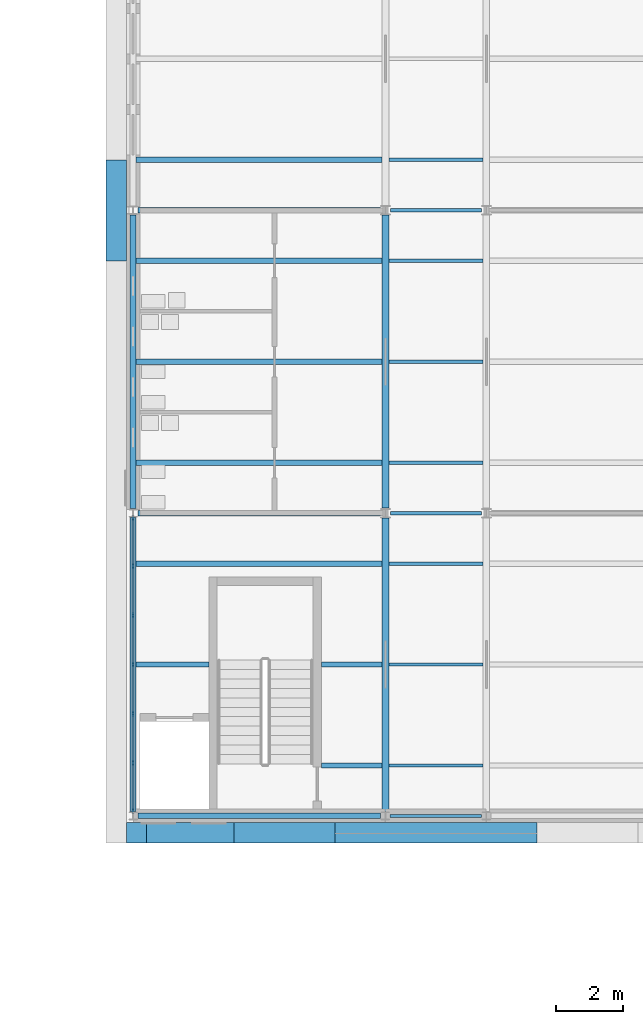
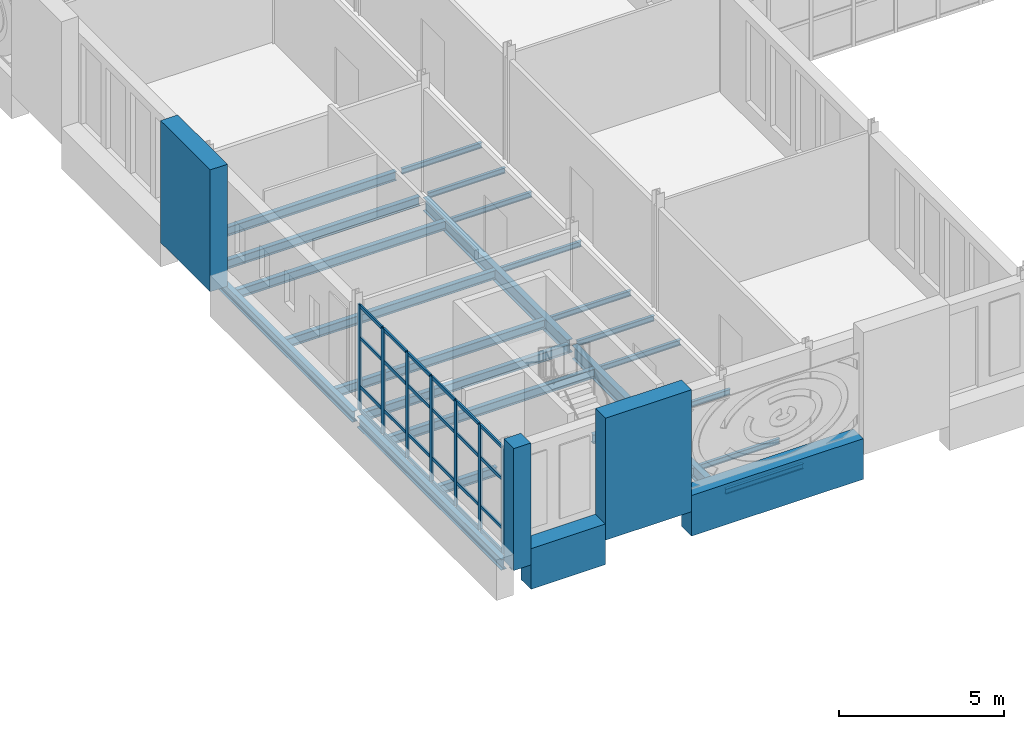
# One storey, part 26 of 131: 34 members, 27 beams, 1 element without a shape of its own.
"""IFC4 building model written with IfcOpenShell, lengths in metres."""

from ifc_helpers import new_model, si_unit, direction, frame, origin, origin_2d, place, context, subcontext, project, spatial, rectangle, i_section, extrude, material, layer, layer_set, material_profile, profile_set, type_object, element, aggregate, save


model = new_model("IFC4")

# Units and contexts
model_context = context("Model", 3, precision=1e-05, world=origin(), true_north=direction((0.0, 1.0)))
body_context = subcontext(model_context, "Body", "Model", "MODEL_VIEW")
ifc_project = project(units=[si_unit("LENGTHUNIT", "METRE"), si_unit("AREAUNIT", "SQUARE_METRE"), si_unit("VOLUMEUNIT", "CUBIC_METRE"), si_unit("PLANEANGLEUNIT", "RADIAN"), si_unit("MASSUNIT", "GRAM", prefix="KILO")], contexts=[model_context])

# Site, building, storey
site_placement = place(None, origin())
site = spatial("IfcSite", under=ifc_project, at=site_placement, CompositionType="ELEMENT")
building_placement = place(site_placement, origin())
building = spatial("IfcBuilding", under=site, at=building_placement, Name="Golden Quay Civic Hall", CompositionType="ELEMENT")
storey_placement = place(building_placement, frame((0.0, 0.0, 9.89990234375)))
storey = spatial("IfcBuildingStorey", under=building, at=storey_placement, Name="L02", CompositionType="ELEMENT", Elevation=9.89990234375)

# Curtain wall, members
ifc_material_1 = material(Name="Glass, laminated double glazed", Category="glass")
ifc_layer = layer(ifc_material_1, 0.199951171875)
ifc_layer_set = layer_set([ifc_layer], Name="Glazed core strip curtain wall")
curtain_wall_type = type_object("IfcCurtainWallType", Name="Glazed core strip curtain wall", PredefinedType="NOTDEFINED", material=ifc_layer_set)
curtain_wall_placement = place(storey_placement, origin())
curtain_wall = element("IfcCurtainWall", 1, at=curtain_wall_placement, inside=storey, type_object=curtain_wall_type, Name="Glazed core strip curtain wall L02 3", PredefinedType="NOTDEFINED")
ifc_material_2 = material(Name="Aluminium, anodised", Category="aluminium")
ifc_material_profile_1 = material_profile(ifc_material_2, rectangle(XDim=0.06005859375, YDim=0.159912109375, at=origin_2d()), Name="Aluminium 60 x 160")
ifc_profile_set_1 = profile_set([ifc_material_profile_1], Name="Aluminium, anodised")
member_type_1 = type_object("IfcMemberType", Name="Aluminium mullion 60 x 160", PredefinedType="MULLION", material=ifc_profile_set_1)
member_1_placement = place(storey_placement, frame((54.0, 0.14501953125, 0.0), z_axis=(0.0, 0.0, 1.0), x_axis=(-1.0, 0.0, 0.0)))
member_1 = element("IfcMember", 2, at=member_1_placement, type_object=member_type_1, Name="CW2 mullion 1", PredefinedType="MULLION", context=body_context, shape_type="SweptSolid", body=[
    extrude(rectangle(XDim=0.06005859375, YDim=0.159912109375, at=origin_2d()), origin(), (0.0, 0.0, 1.0), 3.900146484375),
])
member_2_placement = place(storey_placement, frame((54.0, 1.57666015625, 0.0), z_axis=(0.0, 0.0, 1.0), x_axis=(-1.0, 0.0, 0.0)))
member_2 = element("IfcMember", 3, at=member_2_placement, type_object=member_type_1, Name="CW2 mullion 2", PredefinedType="MULLION", context=body_context, shape_type="SweptSolid", body=[
    extrude(rectangle(XDim=0.06005859375, YDim=0.159912109375, at=origin_2d()), origin(), (0.0, 0.0, 1.0), 3.900146484375),
])
member_3_placement = place(storey_placement, frame((54.0, 3.038330078125, 0.0), z_axis=(0.0, 0.0, 1.0), x_axis=(-1.0, 0.0, 0.0)))
member_3 = element("IfcMember", 4, at=member_3_placement, type_object=member_type_1, Name="CW2 mullion 3", PredefinedType="MULLION", context=body_context, shape_type="SweptSolid", body=[
    extrude(rectangle(XDim=0.06005859375, YDim=0.159912109375, at=origin_2d()), origin(), (0.0, 0.0, 1.0), 3.900146484375),
])
member_4_placement = place(storey_placement, frame((54.0, 4.5, 0.0), z_axis=(0.0, 0.0, 1.0), x_axis=(-1.0, 0.0, 0.0)))
member_4 = element("IfcMember", 5, at=member_4_placement, type_object=member_type_1, Name="CW2 mullion 4", PredefinedType="MULLION", context=body_context, shape_type="SweptSolid", body=[
    extrude(rectangle(XDim=0.06005859375, YDim=0.159912109375, at=origin_2d()), origin(), (0.0, 0.0, 1.0), 3.900146484375),
])
member_5_placement = place(storey_placement, frame((54.0, 5.961669921875, 0.0), z_axis=(0.0, 0.0, 1.0), x_axis=(-1.0, 0.0, 0.0)))
member_5 = element("IfcMember", 6, at=member_5_placement, type_object=member_type_1, Name="CW2 mullion 5", PredefinedType="MULLION", context=body_context, shape_type="SweptSolid", body=[
    extrude(rectangle(XDim=0.06005859375, YDim=0.159912109375, at=origin_2d()), origin(), (0.0, 0.0, 1.0), 3.900146484375),
])
member_6_placement = place(storey_placement, frame((54.0, 7.42333984375, 0.0), z_axis=(0.0, 0.0, 1.0), x_axis=(-1.0, 0.0, 0.0)))
member_6 = element("IfcMember", 7, at=member_6_placement, type_object=member_type_1, Name="CW2 mullion 6", PredefinedType="MULLION", context=body_context, shape_type="SweptSolid", body=[
    extrude(rectangle(XDim=0.06005859375, YDim=0.159912109375, at=origin_2d()), origin(), (0.0, 0.0, 1.0), 3.900146484375),
])
member_7_placement = place(storey_placement, frame((54.0, 8.85498046875, 0.0), z_axis=(0.0, 0.0, 1.0), x_axis=(-1.0, 0.0, 0.0)))
member_7 = element("IfcMember", 8, at=member_7_placement, type_object=member_type_1, Name="CW2 mullion 7", PredefinedType="MULLION", context=body_context, shape_type="SweptSolid", body=[
    extrude(rectangle(XDim=0.06005859375, YDim=0.159912109375, at=origin_2d()), origin(), (0.0, 0.0, 1.0), 3.900146484375),
])
ifc_material_3 = material(Name="Aluminium, anodised", Category="aluminium")
ifc_material_profile_2 = material_profile(ifc_material_3, rectangle(XDim=0.06005859375, YDim=0.1201171875, at=origin_2d()), Name="Aluminium 60 x 120")
ifc_profile_set_2 = profile_set([ifc_material_profile_2], Name="Aluminium, anodised")
member_type_2 = type_object("IfcMemberType", Name="Aluminium transom 60 x 120", PredefinedType="USERDEFINED", material=ifc_profile_set_2)
member_8_placement = place(storey_placement, frame((54.0, 0.175048828125, 0.030029296875), z_axis=(0.0, 1.0, 0.0), x_axis=(-1.0, 0.0, 0.0)))
member_8 = element("IfcMember", 9, at=member_8_placement, type_object=member_type_2, Name="CW2 transom 1.1", ObjectType="TRANSOM", PredefinedType="USERDEFINED", context=body_context, shape_type="SweptSolid", body=[
    extrude(rectangle(XDim=0.06005859375, YDim=0.1201171875, at=origin_2d()), origin(), (0.0, 0.0, 1.0), 1.37158203125),
])
member_9_placement = place(storey_placement, frame((54.0, 0.175048828125, 0.900146484375), z_axis=(0.0, 1.0, 0.0), x_axis=(-1.0, 0.0, 0.0)))
member_9 = element("IfcMember", 10, at=member_9_placement, type_object=member_type_2, Name="CW2 transom 1.2", ObjectType="TRANSOM", PredefinedType="USERDEFINED", context=body_context, shape_type="SweptSolid", body=[
    extrude(rectangle(XDim=0.06005859375, YDim=0.1201171875, at=origin_2d()), origin(), (0.0, 0.0, 1.0), 1.37158203125),
])
member_10_placement = place(storey_placement, frame((54.0, 0.175048828125, 2.7001953125), z_axis=(0.0, 1.0, 0.0), x_axis=(-1.0, 0.0, 0.0)))
member_10 = element("IfcMember", 11, at=member_10_placement, type_object=member_type_2, Name="CW2 transom 1.3", ObjectType="TRANSOM", PredefinedType="USERDEFINED", context=body_context, shape_type="SweptSolid", body=[
    extrude(rectangle(XDim=0.06005859375, YDim=0.1201171875, at=origin_2d()), origin(), (0.0, 0.0, 1.0), 1.37158203125),
])
member_11_placement = place(storey_placement, frame((54.0, 0.175048828125, 3.8701171875), z_axis=(0.0, 1.0, 0.0), x_axis=(-1.0, 0.0, 0.0)))
member_11 = element("IfcMember", 12, at=member_11_placement, type_object=member_type_2, Name="CW2 transom 1.4", ObjectType="TRANSOM", PredefinedType="USERDEFINED", context=body_context, shape_type="SweptSolid", body=[
    extrude(rectangle(XDim=0.06005859375, YDim=0.1201171875, at=origin_2d()), origin(), (0.0, 0.0, 1.0), 1.37158203125),
])
member_12_placement = place(storey_placement, frame((54.0, 1.606689453125, 0.030029296875), z_axis=(0.0, 1.0, 0.0), x_axis=(-1.0, 0.0, 0.0)))
member_12 = element("IfcMember", 13, at=member_12_placement, type_object=member_type_2, Name="CW2 transom 2.1", ObjectType="TRANSOM", PredefinedType="USERDEFINED", context=body_context, shape_type="SweptSolid", body=[
    extrude(rectangle(XDim=0.06005859375, YDim=0.1201171875, at=origin_2d()), origin(), (0.0, 0.0, 1.0), 1.401611328125),
])
member_13_placement = place(storey_placement, frame((54.0, 1.606689453125, 0.900146484375), z_axis=(0.0, 1.0, 0.0), x_axis=(-1.0, 0.0, 0.0)))
member_13 = element("IfcMember", 14, at=member_13_placement, type_object=member_type_2, Name="CW2 transom 2.2", ObjectType="TRANSOM", PredefinedType="USERDEFINED", context=body_context, shape_type="SweptSolid", body=[
    extrude(rectangle(XDim=0.06005859375, YDim=0.1201171875, at=origin_2d()), origin(), (0.0, 0.0, 1.0), 1.401611328125),
])
member_14_placement = place(storey_placement, frame((54.0, 1.606689453125, 2.7001953125), z_axis=(0.0, 1.0, 0.0), x_axis=(-1.0, 0.0, 0.0)))
member_14 = element("IfcMember", 15, at=member_14_placement, type_object=member_type_2, Name="CW2 transom 2.3", ObjectType="TRANSOM", PredefinedType="USERDEFINED", context=body_context, shape_type="SweptSolid", body=[
    extrude(rectangle(XDim=0.06005859375, YDim=0.1201171875, at=origin_2d()), origin(), (0.0, 0.0, 1.0), 1.401611328125),
])
member_15_placement = place(storey_placement, frame((54.0, 1.606689453125, 3.8701171875), z_axis=(0.0, 1.0, 0.0), x_axis=(-1.0, 0.0, 0.0)))
member_15 = element("IfcMember", 16, at=member_15_placement, type_object=member_type_2, Name="CW2 transom 2.4", ObjectType="TRANSOM", PredefinedType="USERDEFINED", context=body_context, shape_type="SweptSolid", body=[
    extrude(rectangle(XDim=0.06005859375, YDim=0.1201171875, at=origin_2d()), origin(), (0.0, 0.0, 1.0), 1.401611328125),
])
member_16_placement = place(storey_placement, frame((54.0, 3.068359375, 0.030029296875), z_axis=(0.0, 1.0, 0.0), x_axis=(-1.0, 0.0, 0.0)))
member_16 = element("IfcMember", 17, at=member_16_placement, type_object=member_type_2, Name="CW2 transom 3.1", ObjectType="TRANSOM", PredefinedType="USERDEFINED", context=body_context, shape_type="SweptSolid", body=[
    extrude(rectangle(XDim=0.06005859375, YDim=0.1201171875, at=origin_2d()), origin(), (0.0, 0.0, 1.0), 1.401611328125),
])
member_17_placement = place(storey_placement, frame((54.0, 3.068359375, 0.900146484375), z_axis=(0.0, 1.0, 0.0), x_axis=(-1.0, 0.0, 0.0)))
member_17 = element("IfcMember", 18, at=member_17_placement, type_object=member_type_2, Name="CW2 transom 3.2", ObjectType="TRANSOM", PredefinedType="USERDEFINED", context=body_context, shape_type="SweptSolid", body=[
    extrude(rectangle(XDim=0.06005859375, YDim=0.1201171875, at=origin_2d()), origin(), (0.0, 0.0, 1.0), 1.401611328125),
])
member_18_placement = place(storey_placement, frame((54.0, 3.068359375, 2.7001953125), z_axis=(0.0, 1.0, 0.0), x_axis=(-1.0, 0.0, 0.0)))
member_18 = element("IfcMember", 19, at=member_18_placement, type_object=member_type_2, Name="CW2 transom 3.3", ObjectType="TRANSOM", PredefinedType="USERDEFINED", context=body_context, shape_type="SweptSolid", body=[
    extrude(rectangle(XDim=0.06005859375, YDim=0.1201171875, at=origin_2d()), origin(), (0.0, 0.0, 1.0), 1.401611328125),
])
member_19_placement = place(storey_placement, frame((54.0, 3.068359375, 3.8701171875), z_axis=(0.0, 1.0, 0.0), x_axis=(-1.0, 0.0, 0.0)))
member_19 = element("IfcMember", 20, at=member_19_placement, type_object=member_type_2, Name="CW2 transom 3.4", ObjectType="TRANSOM", PredefinedType="USERDEFINED", context=body_context, shape_type="SweptSolid", body=[
    extrude(rectangle(XDim=0.06005859375, YDim=0.1201171875, at=origin_2d()), origin(), (0.0, 0.0, 1.0), 1.401611328125),
])
member_20_placement = place(storey_placement, frame((54.0, 4.530029296875, 0.030029296875), z_axis=(0.0, 1.0, 0.0), x_axis=(-1.0, 0.0, 0.0)))
member_20 = element("IfcMember", 21, at=member_20_placement, type_object=member_type_2, Name="CW2 transom 4.1", ObjectType="TRANSOM", PredefinedType="USERDEFINED", context=body_context, shape_type="SweptSolid", body=[
    extrude(rectangle(XDim=0.06005859375, YDim=0.1201171875, at=origin_2d()), origin(), (0.0, 0.0, 1.0), 1.401611328125),
])
member_21_placement = place(storey_placement, frame((54.0, 4.530029296875, 0.900146484375), z_axis=(0.0, 1.0, 0.0), x_axis=(-1.0, 0.0, 0.0)))
member_21 = element("IfcMember", 22, at=member_21_placement, type_object=member_type_2, Name="CW2 transom 4.2", ObjectType="TRANSOM", PredefinedType="USERDEFINED", context=body_context, shape_type="SweptSolid", body=[
    extrude(rectangle(XDim=0.06005859375, YDim=0.1201171875, at=origin_2d()), origin(), (0.0, 0.0, 1.0), 1.401611328125),
])
member_22_placement = place(storey_placement, frame((54.0, 4.530029296875, 2.7001953125), z_axis=(0.0, 1.0, 0.0), x_axis=(-1.0, 0.0, 0.0)))
member_22 = element("IfcMember", 23, at=member_22_placement, type_object=member_type_2, Name="CW2 transom 4.3", ObjectType="TRANSOM", PredefinedType="USERDEFINED", context=body_context, shape_type="SweptSolid", body=[
    extrude(rectangle(XDim=0.06005859375, YDim=0.1201171875, at=origin_2d()), origin(), (0.0, 0.0, 1.0), 1.401611328125),
])
member_23_placement = place(storey_placement, frame((54.0, 4.530029296875, 3.8701171875), z_axis=(0.0, 1.0, 0.0), x_axis=(-1.0, 0.0, 0.0)))
member_23 = element("IfcMember", 24, at=member_23_placement, type_object=member_type_2, Name="CW2 transom 4.4", ObjectType="TRANSOM", PredefinedType="USERDEFINED", context=body_context, shape_type="SweptSolid", body=[
    extrude(rectangle(XDim=0.06005859375, YDim=0.1201171875, at=origin_2d()), origin(), (0.0, 0.0, 1.0), 1.401611328125),
])
member_24_placement = place(storey_placement, frame((54.0, 5.99169921875, 0.030029296875), z_axis=(0.0, 1.0, 0.0), x_axis=(-1.0, 0.0, 0.0)))
member_24 = element("IfcMember", 25, at=member_24_placement, type_object=member_type_2, Name="CW2 transom 5.1", ObjectType="TRANSOM", PredefinedType="USERDEFINED", context=body_context, shape_type="SweptSolid", body=[
    extrude(rectangle(XDim=0.06005859375, YDim=0.1201171875, at=origin_2d()), origin(), (0.0, 0.0, 1.0), 1.401611328125),
])
member_25_placement = place(storey_placement, frame((54.0, 5.99169921875, 0.900146484375), z_axis=(0.0, 1.0, 0.0), x_axis=(-1.0, 0.0, 0.0)))
member_25 = element("IfcMember", 26, at=member_25_placement, type_object=member_type_2, Name="CW2 transom 5.2", ObjectType="TRANSOM", PredefinedType="USERDEFINED", context=body_context, shape_type="SweptSolid", body=[
    extrude(rectangle(XDim=0.06005859375, YDim=0.1201171875, at=origin_2d()), origin(), (0.0, 0.0, 1.0), 1.401611328125),
])
member_26_placement = place(storey_placement, frame((54.0, 5.99169921875, 2.7001953125), z_axis=(0.0, 1.0, 0.0), x_axis=(-1.0, 0.0, 0.0)))
member_26 = element("IfcMember", 27, at=member_26_placement, type_object=member_type_2, Name="CW2 transom 5.3", ObjectType="TRANSOM", PredefinedType="USERDEFINED", context=body_context, shape_type="SweptSolid", body=[
    extrude(rectangle(XDim=0.06005859375, YDim=0.1201171875, at=origin_2d()), origin(), (0.0, 0.0, 1.0), 1.401611328125),
])
member_27_placement = place(storey_placement, frame((54.0, 5.99169921875, 3.8701171875), z_axis=(0.0, 1.0, 0.0), x_axis=(-1.0, 0.0, 0.0)))
member_27 = element("IfcMember", 28, at=member_27_placement, type_object=member_type_2, Name="CW2 transom 5.4", ObjectType="TRANSOM", PredefinedType="USERDEFINED", context=body_context, shape_type="SweptSolid", body=[
    extrude(rectangle(XDim=0.06005859375, YDim=0.1201171875, at=origin_2d()), origin(), (0.0, 0.0, 1.0), 1.401611328125),
])
member_28_placement = place(storey_placement, frame((54.0, 7.453369140625, 0.030029296875), z_axis=(0.0, 1.0, 0.0), x_axis=(-1.0, 0.0, 0.0)))
member_28 = element("IfcMember", 29, at=member_28_placement, type_object=member_type_2, Name="CW2 transom 6.1", ObjectType="TRANSOM", PredefinedType="USERDEFINED", context=body_context, shape_type="SweptSolid", body=[
    extrude(rectangle(XDim=0.06005859375, YDim=0.1201171875, at=origin_2d()), origin(), (0.0, 0.0, 1.0), 1.37158203125),
])
member_29_placement = place(storey_placement, frame((54.0, 7.453369140625, 0.900146484375), z_axis=(0.0, 1.0, 0.0), x_axis=(-1.0, 0.0, 0.0)))
member_29 = element("IfcMember", 30, at=member_29_placement, type_object=member_type_2, Name="CW2 transom 6.2", ObjectType="TRANSOM", PredefinedType="USERDEFINED", context=body_context, shape_type="SweptSolid", body=[
    extrude(rectangle(XDim=0.06005859375, YDim=0.1201171875, at=origin_2d()), origin(), (0.0, 0.0, 1.0), 1.37158203125),
])
member_30_placement = place(storey_placement, frame((54.0, 7.453369140625, 2.7001953125), z_axis=(0.0, 1.0, 0.0), x_axis=(-1.0, 0.0, 0.0)))
member_30 = element("IfcMember", 31, at=member_30_placement, type_object=member_type_2, Name="CW2 transom 6.3", ObjectType="TRANSOM", PredefinedType="USERDEFINED", context=body_context, shape_type="SweptSolid", body=[
    extrude(rectangle(XDim=0.06005859375, YDim=0.1201171875, at=origin_2d()), origin(), (0.0, 0.0, 1.0), 1.37158203125),
])
member_31_placement = place(storey_placement, frame((54.0, 7.453369140625, 3.8701171875), z_axis=(0.0, 1.0, 0.0), x_axis=(-1.0, 0.0, 0.0)))
member_31 = element("IfcMember", 32, at=member_31_placement, type_object=member_type_2, Name="CW2 transom 6.4", ObjectType="TRANSOM", PredefinedType="USERDEFINED", context=body_context, shape_type="SweptSolid", body=[
    extrude(rectangle(XDim=0.06005859375, YDim=0.1201171875, at=origin_2d()), origin(), (0.0, 0.0, 1.0), 1.37158203125),
])
aggregate(curtain_wall, [member_1, member_2, member_3, member_4, member_5, member_6, member_7, member_8, member_9, member_10, member_11, member_12, member_13, member_14, member_15, member_16, member_17, member_18, member_19, member_20, member_21, member_22, member_23, member_24, member_25, member_26, member_27, member_28, member_29, member_30, member_31])

# Members
ifc_material_4 = material(Name="Concrete C40/50", Category="concrete")
ifc_material_profile_3 = material_profile(ifc_material_4, rectangle(XDim=3.0, YDim=0.60009765625, at=origin_2d()), Name="RC 3000x600")
ifc_profile_set_3 = profile_set([ifc_material_profile_3], Name="Concrete C40/50")
member_type_3 = type_object("IfcMemberType", Name="Precast concrete facade pier 3000 x 600", PredefinedType="POST", material=ifc_profile_set_3)
for number, where, z_axis, x_axis, name in (
    (33, (53.5, 18.0, 0.0), (0.0, 0.0, 1.0), (0.0, 1.0, 0.0), "Precast concrete facade pier 3000 x 600 L02 19"),
    (34, (58.5, -0.5, 0.0), (0.0, 0.0, 1.0), (1.0, 0.0, 0.0), "Precast concrete facade pier 3000 x 600 L02 25"),
):
    element("IfcMember", number, at=place(storey_placement, frame(where, z_axis=z_axis, x_axis=x_axis)), inside=storey, type_object=member_type_3, Name=name, PredefinedType="POST", context=body_context, shape_type="SweptSolid", body=[
        extrude(rectangle(XDim=3.0, YDim=0.60009765625, at=origin_2d()), origin(), (0.0, 0.0, 1.0), 4.5),
    ])
ifc_material_5 = material(Name="Concrete C40/50", Category="concrete")
ifc_material_profile_4 = material_profile(ifc_material_5, rectangle(XDim=0.60009765625, YDim=0.60009765625, at=origin_2d()), Name="RC 600x600")
ifc_profile_set_4 = profile_set([ifc_material_profile_4], Name="Concrete C40/50")
member_type_4 = type_object("IfcMemberType", Name="Precast concrete facade post 600 x 600", PredefinedType="POST", material=ifc_profile_set_4)
member_32_placement = place(storey_placement, frame((54.10009765625, -0.5, 0.0), z_axis=(0.0, 0.0, 1.0), x_axis=(1.0, 0.0, 0.0)))
element("IfcMember", 35, at=member_32_placement, inside=storey, type_object=member_type_4, Name="Precast concrete facade post 600 x 600 L02 9", PredefinedType="POST", context=body_context, shape_type="SweptSolid", body=[
    extrude(rectangle(XDim=0.60009765625, YDim=0.60009765625, at=origin_2d()), origin(), (0.0, 0.0, 1.0), 4.5),
])

# Beams
ifc_material_6 = material(Name="Concrete C40/50", Category="concrete")
ifc_material_profile_5 = material_profile(ifc_material_6, rectangle(XDim=0.60009765625, YDim=1.5, at=origin_2d()), Name="RC 600x1500")
ifc_profile_set_5 = profile_set([ifc_material_profile_5], Name="Concrete C40/50")
beam_type_1 = type_object("IfcBeamType", Name="Precast concrete spandrel beam 600 x 1500", PredefinedType="SPANDREL", material=ifc_profile_set_5)
beam_1_placement = place(storey_placement, frame((54.39990234375, -0.5, -0.14990234375), z_axis=(1.0, 0.0, 0.0), x_axis=(0.0, 1.0, 0.0)))
element("IfcBeam", 36, at=beam_1_placement, inside=storey, type_object=beam_type_1, Name="Precast concrete spandrel beam 600 x 1500 L02 27", PredefinedType="SPANDREL", context=body_context, shape_type="SweptSolid", body=[
    extrude(rectangle(XDim=0.60009765625, YDim=1.5, at=origin_2d()), origin(), (0.0, 0.0, 1.0), 2.60009765625),
])
beam_2_placement = place(storey_placement, frame((60.0, -0.5, -0.14990234375), z_axis=(1.0, 0.0, 0.0), x_axis=(0.0, 1.0, 0.0)))
element("IfcBeam", 37, at=beam_2_placement, inside=storey, type_object=beam_type_1, Name="Precast concrete spandrel beam 600 x 1500 L02 28", PredefinedType="SPANDREL", context=body_context, shape_type="SweptSolid", body=[
    extrude(rectangle(XDim=0.60009765625, YDim=1.5, at=origin_2d()), origin(), (0.0, 0.0, 1.0), 6.0),
])
ifc_material_7 = material(Name="Steel S355", Category="steel")
ifc_material_profile_6 = material_profile(ifc_material_7, i_section(OverallWidth=0.10009765625, OverallDepth=0.199951171875, WebThickness=0.005615234375, FlangeThickness=0.008544921875, FilletRadius=0.011962890625, at=origin_2d()), Name="IPE 200")
ifc_profile_set_6 = profile_set([ifc_material_profile_6], Name="Steel S355")
beam_type_2 = type_object("IfcBeamType", Name="Steel beam IPE 200", PredefinedType="BEAM", material=ifc_profile_set_6)
beam_3_placement = place(storey_placement, frame((61.639892578125, 0.0, -0.2998046875), z_axis=(1.0, 0.0, 0.0), x_axis=(0.0, 1.0, 0.0)))
element("IfcBeam", 38, at=beam_3_placement, inside=storey, type_object=beam_type_2, Name="Beam S0-61.5", PredefinedType="BEAM", context=body_context, shape_type="SweptSolid", body=[
    extrude(i_section(OverallWidth=0.10009765625, OverallDepth=0.199951171875, WebThickness=0.005615234375, FlangeThickness=0.008544921875, FilletRadius=0.011962890625, at=origin_2d()), origin(), (0.0, 0.0, 1.0), 2.72021484375),
])
for number, where, z_axis, x_axis, name in (
    (39, (61.64990234375, 9.0, -0.2998046875), (1.0, 0.0, 0.0), (0.0, 1.0, 0.0), "Beam S9-61.5"),
    (40, (61.64990234375, 18.0, -0.2998046875), (1.0, 0.0, 0.0), (0.0, 1.0, 0.0), "Beam S18-61.5"),
):
    element("IfcBeam", number, at=place(storey_placement, frame(where, z_axis=z_axis, x_axis=x_axis)), inside=storey, type_object=beam_type_2, Name=name, PredefinedType="BEAM", context=body_context, shape_type="SweptSolid", body=[
        extrude(i_section(OverallWidth=0.10009765625, OverallDepth=0.199951171875, WebThickness=0.005615234375, FlangeThickness=0.008544921875, FilletRadius=0.011962890625, at=origin_2d()), origin(), (0.0, 0.0, 1.0), 2.7001953125),
    ])
ifc_material_8 = material(Name="Steel S355", Category="steel")
ifc_material_profile_7 = material_profile(ifc_material_8, i_section(OverallWidth=0.159912109375, OverallDepth=0.330078125, WebThickness=0.007568359375, FlangeThickness=0.011474609375, FilletRadius=0.01806640625, at=origin_2d()), Name="IPE 330")
ifc_profile_set_7 = profile_set([ifc_material_profile_7], Name="Steel S355")
beam_type_3 = type_object("IfcBeamType", Name="Steel beam IPE 330", PredefinedType="BEAM", material=ifc_profile_set_7)
beam_4_placement = place(storey_placement, frame((54.139892578125, 0.0, -0.364990234375), z_axis=(1.0, 0.0, 0.0), x_axis=(0.0, 1.0, 0.0)))
element("IfcBeam", 41, at=beam_4_placement, inside=storey, type_object=beam_type_3, Name="Beam S0-54", PredefinedType="BEAM", context=body_context, shape_type="SweptSolid", body=[
    extrude(i_section(OverallWidth=0.159912109375, OverallDepth=0.330078125, WebThickness=0.007568359375, FlangeThickness=0.011474609375, FilletRadius=0.01806640625, at=origin_2d()), origin(), (0.0, 0.0, 1.0), 7.22021484375),
])
for number, where, z_axis, x_axis, name in (
    (42, (54.139892578125, 9.0, -0.364990234375), (1.0, 0.0, 0.0), (0.0, 1.0, 0.0), "Beam S9-54"),
    (43, (54.139892578125, 18.0, -0.364990234375), (1.0, 0.0, 0.0), (0.0, 1.0, 0.0), "Beam S18-54"),
):
    element("IfcBeam", number, at=place(storey_placement, frame(where, z_axis=z_axis, x_axis=x_axis)), inside=storey, type_object=beam_type_3, Name=name, PredefinedType="BEAM", context=body_context, shape_type="SweptSolid", body=[
        extrude(i_section(OverallWidth=0.159912109375, OverallDepth=0.330078125, WebThickness=0.007568359375, FlangeThickness=0.011474609375, FilletRadius=0.01806640625, at=origin_2d()), origin(), (0.0, 0.0, 1.0), 7.210205078125),
    ])
ifc_material_9 = material(Name="Steel S355", Category="steel")
ifc_material_profile_8 = material_profile(ifc_material_9, i_section(OverallWidth=0.179931640625, OverallDepth=0.39990234375, WebThickness=0.008544921875, FlangeThickness=0.013427734375, FilletRadius=0.02099609375, at=origin_2d()), Name="IPE 400")
ifc_profile_set_8 = profile_set([ifc_material_profile_8], Name="Steel S355")
beam_type_4 = type_object("IfcBeamType", Name="Steel beam IPE 400", PredefinedType="BEAM", material=ifc_profile_set_8)
for number, where, z_axis, x_axis, name in (
    (44, (54.0, 0.135009765625, -0.39990234375), (0.0, 1.0, 0.0), (-1.0, 0.0, 0.0), "Beam L54-0"),
    (45, (54.0, 9.135009765625, -0.39990234375), (0.0, 1.0, 0.0), (-1.0, 0.0, 0.0), "Beam L54-9"),
):
    element("IfcBeam", number, at=place(storey_placement, frame(where, z_axis=z_axis, x_axis=x_axis)), inside=storey, type_object=beam_type_4, Name=name, PredefinedType="BEAM", context=body_context, shape_type="SweptSolid", body=[
        extrude(i_section(OverallWidth=0.179931640625, OverallDepth=0.39990234375, WebThickness=0.008544921875, FlangeThickness=0.013427734375, FilletRadius=0.02099609375, at=origin_2d()), origin(), (0.0, 0.0, 1.0), 8.72998046875),
    ])
ifc_material_10 = material(Name="Steel S355", Category="steel")
ifc_material_profile_9 = material_profile(ifc_material_10, i_section(OverallWidth=0.199951171875, OverallDepth=0.5, WebThickness=0.01025390625, FlangeThickness=0.01611328125, FilletRadius=0.02099609375, at=origin_2d()), Name="IPE 500")
ifc_profile_set_9 = profile_set([ifc_material_profile_9], Name="Steel S355")
beam_type_5 = type_object("IfcBeamType", Name="Steel beam IPE 500", PredefinedType="BEAM", material=ifc_profile_set_9)
beam_5_placement = place(storey_placement, frame((61.5, 0.135009765625, -0.449951171875), z_axis=(0.0, 1.0, 0.0), x_axis=(-1.0, 0.0, 0.0)))
element("IfcBeam", 46, at=beam_5_placement, inside=storey, type_object=beam_type_5, Name="Beam L61.5-0", PredefinedType="BEAM", context=body_context, shape_type="SweptSolid", body=[
    extrude(i_section(OverallWidth=0.199951171875, OverallDepth=0.5, WebThickness=0.01025390625, FlangeThickness=0.01611328125, FilletRadius=0.02099609375, at=origin_2d()), origin(), (0.0, 0.0, 1.0), 8.719970703125),
])
beam_6_placement = place(storey_placement, frame((61.5, 9.14501953125, -0.449951171875), z_axis=(0.0, 1.0, 0.0), x_axis=(-1.0, 0.0, 0.0)))
element("IfcBeam", 47, at=beam_6_placement, inside=storey, type_object=beam_type_5, Name="Beam L61.5-9", PredefinedType="BEAM", context=body_context, shape_type="SweptSolid", body=[
    extrude(i_section(OverallWidth=0.199951171875, OverallDepth=0.5, WebThickness=0.01025390625, FlangeThickness=0.01611328125, FilletRadius=0.02099609375, at=origin_2d()), origin(), (0.0, 0.0, 1.0), 8.7099609375),
])
ifc_material_11 = material(Name="Steel S355", Category="steel")
ifc_material_profile_10 = material_profile(ifc_material_11, i_section(OverallWidth=0.10009765625, OverallDepth=0.199951171875, WebThickness=0.005615234375, FlangeThickness=0.008544921875, FilletRadius=0.011962890625, at=origin_2d()), Name="IPE 200")
ifc_profile_set_10 = profile_set([ifc_material_profile_10], Name="Steel S355")
beam_type_6 = type_object("IfcBeamType", Name="Steel joist IPE 200", PredefinedType="JOIST", material=ifc_profile_set_10)
for number, where, z_axis, x_axis, name in (
    (48, (61.60009765625, 1.5, -0.2998046875), (1.0, 0.0, 0.0), (0.0, 1.0, 0.0), "Joist J1.5-61.5"),
    (49, (61.60009765625, 4.5, -0.2998046875), (1.0, 0.0, 0.0), (0.0, 1.0, 0.0), "Joist J4.5-61.5"),
    (50, (61.60009765625, 7.5, -0.2998046875), (1.0, 0.0, 0.0), (0.0, 1.0, 0.0), "Joist J7.5-61.5"),
    (51, (61.60009765625, 10.5, -0.2998046875), (1.0, 0.0, 0.0), (0.0, 1.0, 0.0), "Joist J10.5-61.5"),
    (52, (61.60009765625, 13.5, -0.2998046875), (1.0, 0.0, 0.0), (0.0, 1.0, 0.0), "Joist J13.5-61.5"),
    (53, (61.60009765625, 16.5, -0.2998046875), (1.0, 0.0, 0.0), (0.0, 1.0, 0.0), "Joist J16.5-61.5"),
    (54, (61.60009765625, 19.5, -0.2998046875), (1.0, 0.0, 0.0), (0.0, 1.0, 0.0), "Joist J19.5-61.5"),
):
    element("IfcBeam", number, at=place(storey_placement, frame(where, z_axis=z_axis, x_axis=x_axis)), inside=storey, type_object=beam_type_6, Name=name, PredefinedType="JOIST", context=body_context, shape_type="SweptSolid", body=[
        extrude(i_section(OverallWidth=0.10009765625, OverallDepth=0.199951171875, WebThickness=0.005615234375, FlangeThickness=0.008544921875, FilletRadius=0.011962890625, at=origin_2d()), origin(), (0.0, 0.0, 1.0), 2.7998046875),
    ])
ifc_material_12 = material(Name="Steel S355", Category="steel")
ifc_material_profile_11 = material_profile(ifc_material_12, i_section(OverallWidth=0.159912109375, OverallDepth=0.330078125, WebThickness=0.007568359375, FlangeThickness=0.011474609375, FilletRadius=0.01806640625, at=origin_2d()), Name="IPE 330")
ifc_profile_set_11 = profile_set([ifc_material_profile_11], Name="Steel S355")
beam_type_7 = type_object("IfcBeamType", Name="Steel joist IPE 330", PredefinedType="JOIST", material=ifc_profile_set_11)
beam_7_placement = place(storey_placement, frame((59.60009765625, 1.5, -0.364990234375), z_axis=(1.0, 0.0, 0.0), x_axis=(0.0, 1.0, 0.0)))
element("IfcBeam", 55, at=beam_7_placement, inside=storey, type_object=beam_type_7, Name="Joist J1.5-54-1", PredefinedType="JOIST", context=body_context, shape_type="SweptSolid", body=[
    extrude(i_section(OverallWidth=0.159912109375, OverallDepth=0.330078125, WebThickness=0.007568359375, FlangeThickness=0.011474609375, FilletRadius=0.01806640625, at=origin_2d()), origin(), (0.0, 0.0, 1.0), 1.7998046875),
])
beam_8_placement = place(storey_placement, frame((54.090087890625, 4.5, -0.364990234375), z_axis=(1.0, 0.0, 0.0), x_axis=(0.0, 1.0, 0.0)))
element("IfcBeam", 56, at=beam_8_placement, inside=storey, type_object=beam_type_7, Name="Joist J4.5-54-0", PredefinedType="JOIST", context=body_context, shape_type="SweptSolid", body=[
    extrude(i_section(OverallWidth=0.159912109375, OverallDepth=0.330078125, WebThickness=0.007568359375, FlangeThickness=0.011474609375, FilletRadius=0.01806640625, at=origin_2d()), origin(), (0.0, 0.0, 1.0), 2.159912109375),
])
beam_9_placement = place(storey_placement, frame((59.60009765625, 4.5, -0.364990234375), z_axis=(1.0, 0.0, 0.0), x_axis=(0.0, 1.0, 0.0)))
element("IfcBeam", 57, at=beam_9_placement, inside=storey, type_object=beam_type_7, Name="Joist J4.5-54-1", PredefinedType="JOIST", context=body_context, shape_type="SweptSolid", body=[
    extrude(i_section(OverallWidth=0.159912109375, OverallDepth=0.330078125, WebThickness=0.007568359375, FlangeThickness=0.011474609375, FilletRadius=0.01806640625, at=origin_2d()), origin(), (0.0, 0.0, 1.0), 1.7998046875),
])
for number, where, z_axis, x_axis, name in (
    (58, (54.090087890625, 7.5, -0.364990234375), (1.0, 0.0, 0.0), (0.0, 1.0, 0.0), "Joist J7.5-54"),
    (59, (54.090087890625, 10.5, -0.364990234375), (1.0, 0.0, 0.0), (0.0, 1.0, 0.0), "Joist J10.5-54"),
    (60, (54.090087890625, 13.5, -0.364990234375), (1.0, 0.0, 0.0), (0.0, 1.0, 0.0), "Joist J13.5-54"),
    (61, (54.090087890625, 16.5, -0.364990234375), (1.0, 0.0, 0.0), (0.0, 1.0, 0.0), "Joist J16.5-54"),
    (62, (54.090087890625, 19.5, -0.364990234375), (1.0, 0.0, 0.0), (0.0, 1.0, 0.0), "Joist J19.5-54"),
):
    element("IfcBeam", number, at=place(storey_placement, frame(where, z_axis=z_axis, x_axis=x_axis)), inside=storey, type_object=beam_type_7, Name=name, PredefinedType="JOIST", context=body_context, shape_type="SweptSolid", body=[
        extrude(i_section(OverallWidth=0.159912109375, OverallDepth=0.330078125, WebThickness=0.007568359375, FlangeThickness=0.011474609375, FilletRadius=0.01806640625, at=origin_2d()), origin(), (0.0, 0.0, 1.0), 7.309814453125),
    ])

save(model, "model.ifc")
